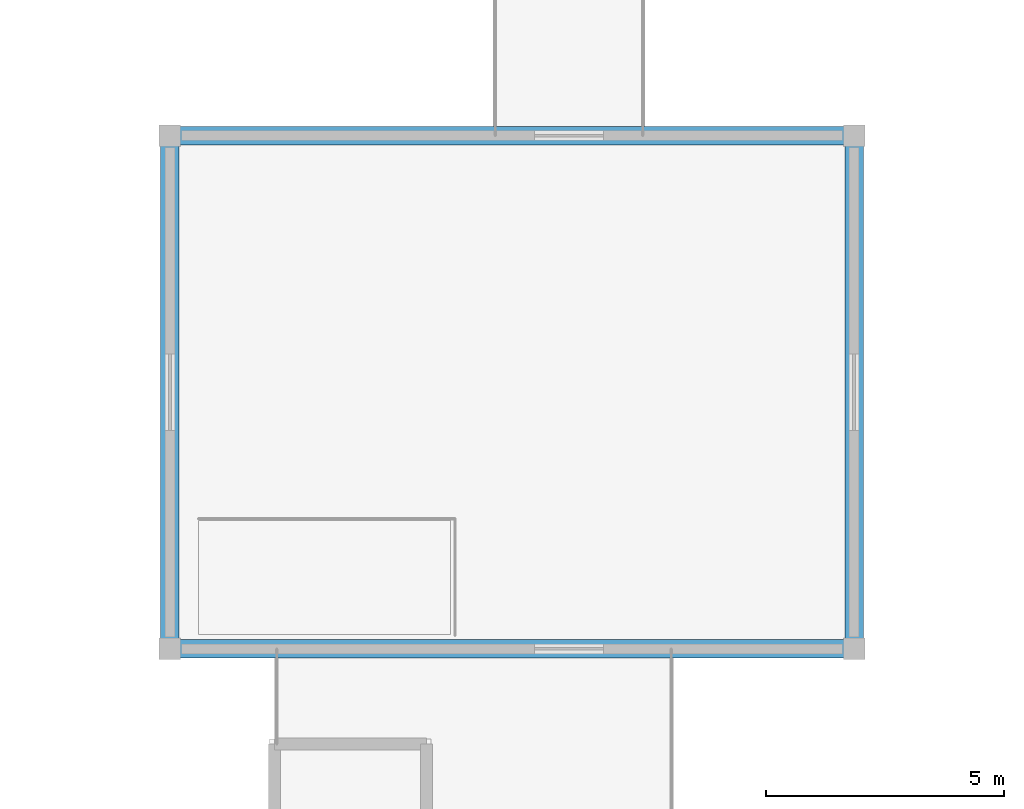
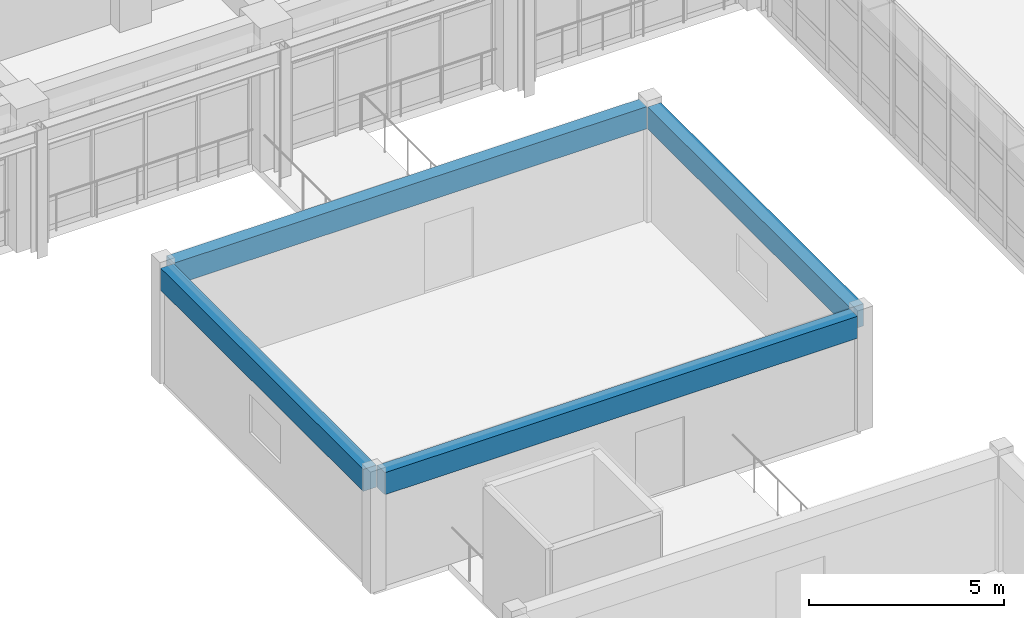
# One storey, part 94 of 171: 4 beams.
"""IFC4 building model written with IfcOpenShell, lengths in metres."""

from ifc_helpers import new_model, si_unit, direction, frame, origin, origin_2d, place, context, subcontext, project, spatial, rectangle, extrude, material, material_profile, profile_set, type_object, element, save


model = new_model("IFC4")

# Units and contexts
model_context = context("Model", 3, precision=1e-05, world=origin(), true_north=direction((0.0, 1.0)))
body_context = subcontext(model_context, "Body", "Model", "MODEL_VIEW")
ifc_project = project(units=[si_unit("LENGTHUNIT", "METRE"), si_unit("AREAUNIT", "SQUARE_METRE"), si_unit("VOLUMEUNIT", "CUBIC_METRE"), si_unit("PLANEANGLEUNIT", "RADIAN"), si_unit("MASSUNIT", "GRAM", prefix="KILO")], contexts=[model_context])

# Site, building, storey
site_placement = place(None, origin())
site = spatial("IfcSite", under=ifc_project, at=site_placement, CompositionType="ELEMENT")
building_placement = place(site_placement, origin())
building = spatial("IfcBuilding", under=site, at=building_placement, Name="Thalmaran Polytechnic", CompositionType="ELEMENT")
storey_placement = place(building_placement, frame((0.0, 0.0, 5.39990234375)))
storey = spatial("IfcBuildingStorey", under=building, at=storey_placement, Name="L01", CompositionType="ELEMENT", Elevation=5.39990234375)

# Beams
ifc_material = material(Name="Concrete C40/50", Category="concrete")
ifc_material_profile = material_profile(ifc_material, rectangle(XDim=0.389892578125, YDim=0.68994140625, at=origin_2d()), Name="RC 390x690")
ifc_profile_set = profile_set([ifc_material_profile], Name="Concrete C40/50")
beam_type = type_object("IfcBeamType", Name="BM-RC09", PredefinedType="BEAM", material=ifc_profile_set)
for number, where, z_axis, x_axis, name in (
    (1, (144.2099609375, 32.39990234375, 3.267578125), (1.0, 0.0, 0.0), (0.0, 1.0, 0.0), "POD4 Upper Beam X"),
    (2, (144.2099609375, 43.199951171875, 3.267578125), (1.0, 0.0, 0.0), (0.0, 1.0, 0.0), "POD4 Upper Beam X"),
):
    element("IfcBeam", number, at=place(storey_placement, frame(where, z_axis=z_axis, x_axis=x_axis)), inside=storey, type_object=beam_type, Name=name, PredefinedType="BEAM", context=body_context, shape_type="SweptSolid", body=[
        extrude(rectangle(XDim=0.389892578125, YDim=0.68994140625, at=origin_2d()), origin(), (0.0, 0.0, 1.0), 13.97998046875),
    ])
for number, where, z_axis, x_axis, name in (
    (3, (144.0, 32.610107421875, 3.267578125), (0.0, 1.0, 0.0), (-1.0, 0.0, 0.0), "POD4 Upper Beam Y"),
    (4, (158.39990234375, 32.610107421875, 3.267578125), (0.0, 1.0, 0.0), (-1.0, 0.0, 0.0), "POD4 Upper Beam Y"),
):
    element("IfcBeam", number, at=place(storey_placement, frame(where, z_axis=z_axis, x_axis=x_axis)), inside=storey, type_object=beam_type, Name=name, PredefinedType="BEAM", context=body_context, shape_type="SweptSolid", body=[
        extrude(rectangle(XDim=0.389892578125, YDim=0.68994140625, at=origin_2d()), origin(), (0.0, 0.0, 1.0), 10.3798828125),
    ])

save(model, "model.ifc")
